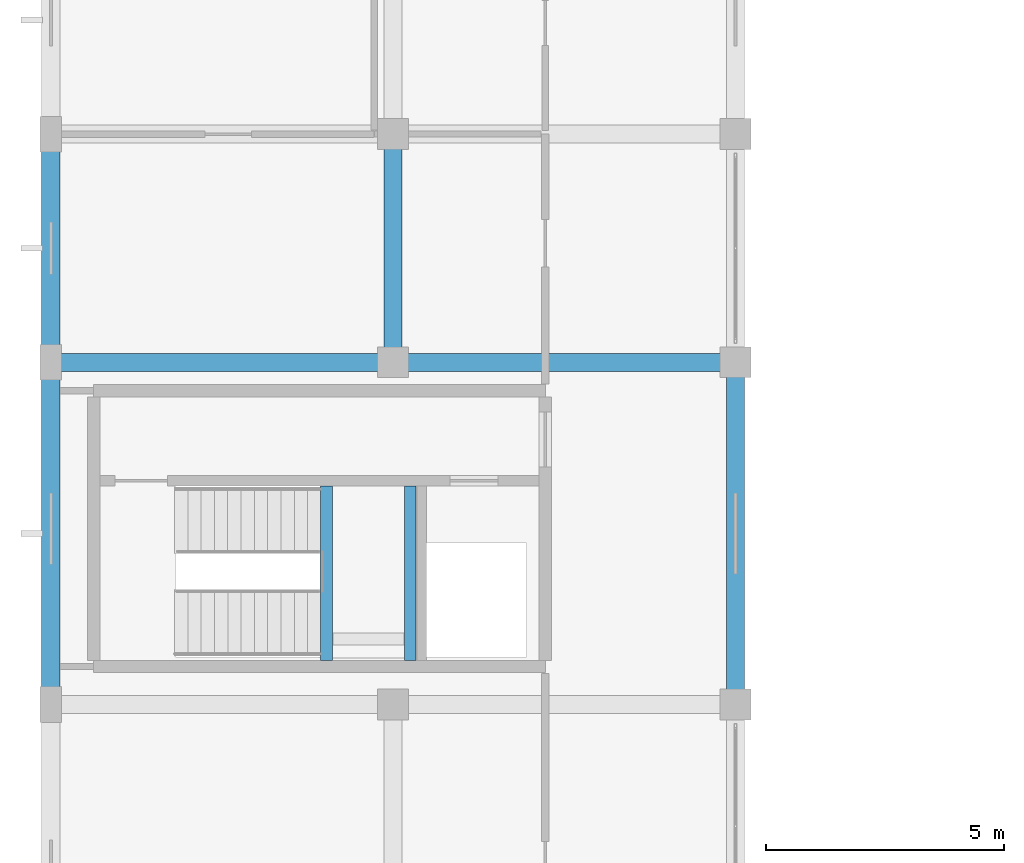
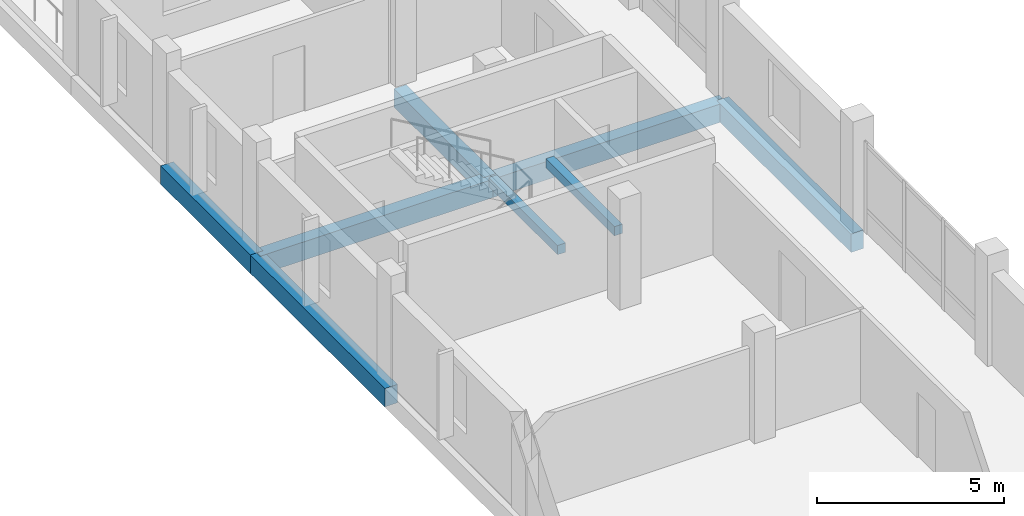
# One storey, part 10 of 93: 8 beams.
"""IFC4 building model written with IfcOpenShell, lengths in metres."""

from ifc_helpers import new_model, si_unit, direction, frame, origin, origin_2d, place, context, subcontext, project, spatial, rectangle, extrude, material, material_profile, profile_set, type_object, element, save


model = new_model("IFC4")

# Units and contexts
model_context = context("Model", 3, precision=1e-05, world=origin(), true_north=direction((0.0, 1.0)))
body_context = subcontext(model_context, "Body", "Model", "MODEL_VIEW")
ifc_project = project(units=[si_unit("LENGTHUNIT", "METRE"), si_unit("AREAUNIT", "SQUARE_METRE"), si_unit("VOLUMEUNIT", "CUBIC_METRE"), si_unit("PLANEANGLEUNIT", "RADIAN"), si_unit("MASSUNIT", "GRAM", prefix="KILO")], contexts=[model_context])

# Site, building, storey
site_placement = place(None, origin())
site = spatial("IfcSite", under=ifc_project, at=site_placement, CompositionType="ELEMENT")
building_placement = place(site_placement, origin())
building = spatial("IfcBuilding", under=site, at=building_placement, Name="Zornivar Specialist Clinic", CompositionType="ELEMENT")
storey_placement = place(building_placement, frame((0.0, 0.0, 8.39990234375)))
storey = spatial("IfcBuildingStorey", under=building, at=storey_placement, Name="L02", CompositionType="ELEMENT", Elevation=8.39990234375)

# Beams
ifc_material_1 = material(Name="Concrete C30/37", Category="concrete")
ifc_material_profile_1 = material_profile(ifc_material_1, rectangle(XDim=0.25, YDim=0.300048828125, at=origin_2d()), Name="RC 250x300")
ifc_profile_set_1 = profile_set([ifc_material_profile_1], Name="Concrete C30/37")
beam_type_1 = type_object("IfcBeamType", Name="BM-LAND-250x300", PredefinedType="BEAM", material=ifc_profile_set_1)
for number, where, z_axis, x_axis, name in (
    (1, (5.800048828125, 36.929931640625, 1.6201171875), (0.0, 1.0, 0.0), (-1.0, 0.0, 0.0), "bm:stair:C2:L02:lW"),
    (2, (7.56005859375, 36.929931640625, 1.6201171875), (0.0, 1.0, 0.0), (-1.0, 0.0, 0.0), "bm:stair:C2:L02:lE"),
):
    element("IfcBeam", number, at=place(storey_placement, frame(where, z_axis=z_axis, x_axis=x_axis)), inside=storey, type_object=beam_type_1, Name=name, PredefinedType="BEAM", context=body_context, shape_type="SweptSolid", body=[
        extrude(rectangle(XDim=0.25, YDim=0.300048828125, at=origin_2d()), origin(), (0.0, 0.0, 1.0), 3.670166015625),
    ])
ifc_material_2 = material(Name="Concrete C30/37", Category="concrete")
ifc_material_profile_2 = material_profile(ifc_material_2, rectangle(XDim=0.3798828125, YDim=0.60009765625, at=origin_2d()), Name="RC 380x600")
ifc_profile_set_2 = profile_set([ifc_material_profile_2], Name="Concrete C30/37")
beam_type_2 = type_object("IfcBeamType", Name="BM-RC-380x600", PredefinedType="BEAM", material=ifc_profile_set_2)
for number, where, z_axis, x_axis, name in (
    (3, (0.0, 43.199951171875, -0.579833984375), (1.0, 0.0, 0.0), (0.0, 1.0, 0.0), "bm:V2:L02:x:432:0"),
    (4, (7.199951171875, 43.199951171875, -0.579833984375), (1.0, 0.0, 0.0), (0.0, 1.0, 0.0), "bm:V2:L02:x:432:1"),
):
    element("IfcBeam", number, at=place(storey_placement, frame(where, z_axis=z_axis, x_axis=x_axis)), inside=storey, type_object=beam_type_2, Name=name, PredefinedType="BEAM", context=body_context, shape_type="SweptSolid", body=[
        extrude(rectangle(XDim=0.3798828125, YDim=0.60009765625, at=origin_2d()), origin(), (0.0, 0.0, 1.0), 7.199951171875),
    ])
beam_1_placement = place(storey_placement, frame((7.199951171875, 43.199951171875, -0.579833984375), z_axis=(0.0, 1.0, 0.0), x_axis=(-1.0, 0.0, 0.0)))
element("IfcBeam", 5, at=beam_1_placement, inside=storey, type_object=beam_type_2, Name="bm:V2:L02:y:72:6", PredefinedType="BEAM", context=body_context, shape_type="SweptSolid", body=[
    extrude(rectangle(XDim=0.3798828125, YDim=0.60009765625, at=origin_2d()), origin(), (0.0, 0.0, 1.0), 4.800048828125),
])
beam_2_placement = place(storey_placement, frame((14.39990234375, 36.0, -0.579833984375), z_axis=(0.0, 1.0, 0.0), x_axis=(-1.0, 0.0, 0.0)))
element("IfcBeam", 6, at=beam_2_placement, inside=storey, type_object=beam_type_2, Name="bm:V2:L02:y:144:5", PredefinedType="BEAM", context=body_context, shape_type="SweptSolid", body=[
    extrude(rectangle(XDim=0.3798828125, YDim=0.60009765625, at=origin_2d()), origin(), (0.0, 0.0, 1.0), 7.199951171875),
])
ifc_material_3 = material(Name="Concrete C30/37", Category="concrete")
ifc_material_profile_3 = material_profile(ifc_material_3, rectangle(XDim=0.389892578125, YDim=0.60009765625, at=origin_2d()), Name="RC 390x600")
ifc_profile_set_3 = profile_set([ifc_material_profile_3], Name="Concrete C30/37")
beam_type_3 = type_object("IfcBeamType", Name="BM-RC-SPANDREL-390x600", PredefinedType="SPANDREL", material=ifc_profile_set_3)
beam_3_placement = place(storey_placement, frame((0.0, 36.0, -0.579833984375), z_axis=(0.0, 1.0, 0.0), x_axis=(-1.0, 0.0, 0.0)))
element("IfcBeam", 7, at=beam_3_placement, inside=storey, type_object=beam_type_3, Name="bm:V2:L02:y:0:5", PredefinedType="SPANDREL", context=body_context, shape_type="SweptSolid", body=[
    extrude(rectangle(XDim=0.389892578125, YDim=0.60009765625, at=origin_2d()), origin(), (0.0, 0.0, 1.0), 7.199951171875),
])
beam_4_placement = place(storey_placement, frame((0.0, 43.199951171875, -0.579833984375), z_axis=(0.0, 1.0, 0.0), x_axis=(-1.0, 0.0, 0.0)))
element("IfcBeam", 8, at=beam_4_placement, inside=storey, type_object=beam_type_3, Name="bm:V2:L02:y:0:6", PredefinedType="SPANDREL", context=body_context, shape_type="SweptSolid", body=[
    extrude(rectangle(XDim=0.389892578125, YDim=0.60009765625, at=origin_2d()), origin(), (0.0, 0.0, 1.0), 4.800048828125),
])

save(model, "model.ifc")
